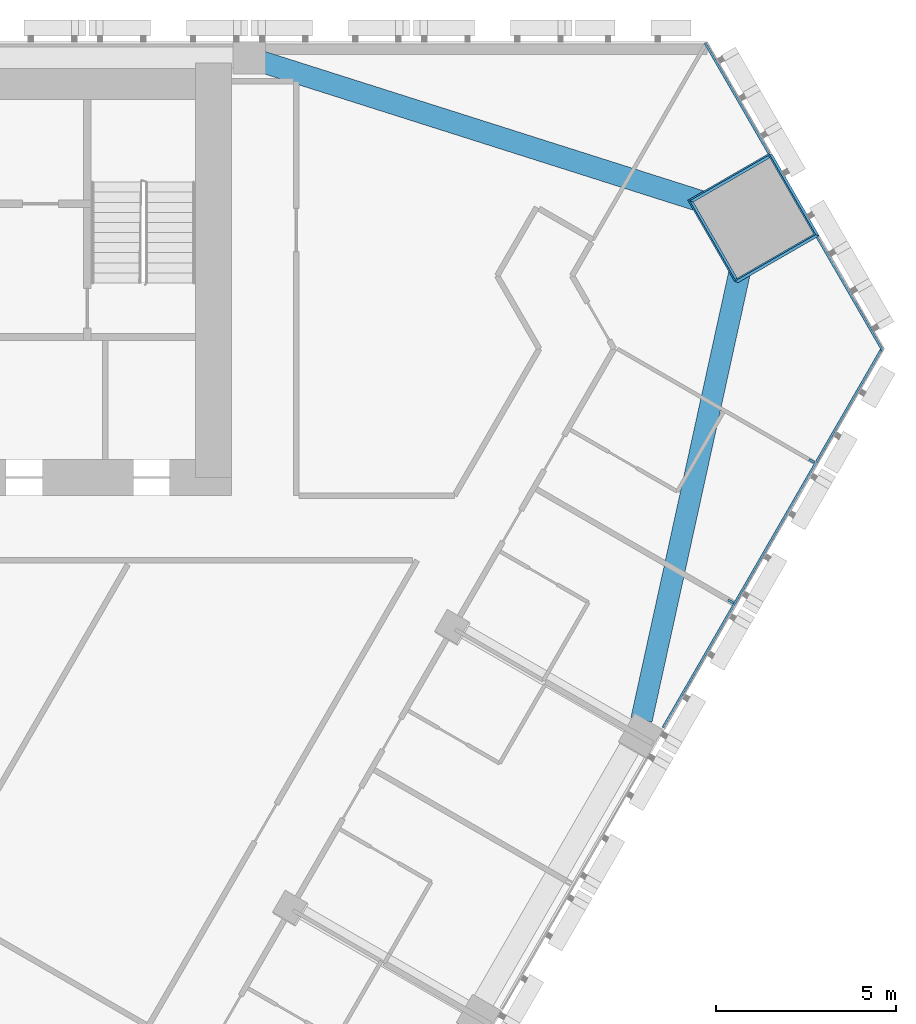
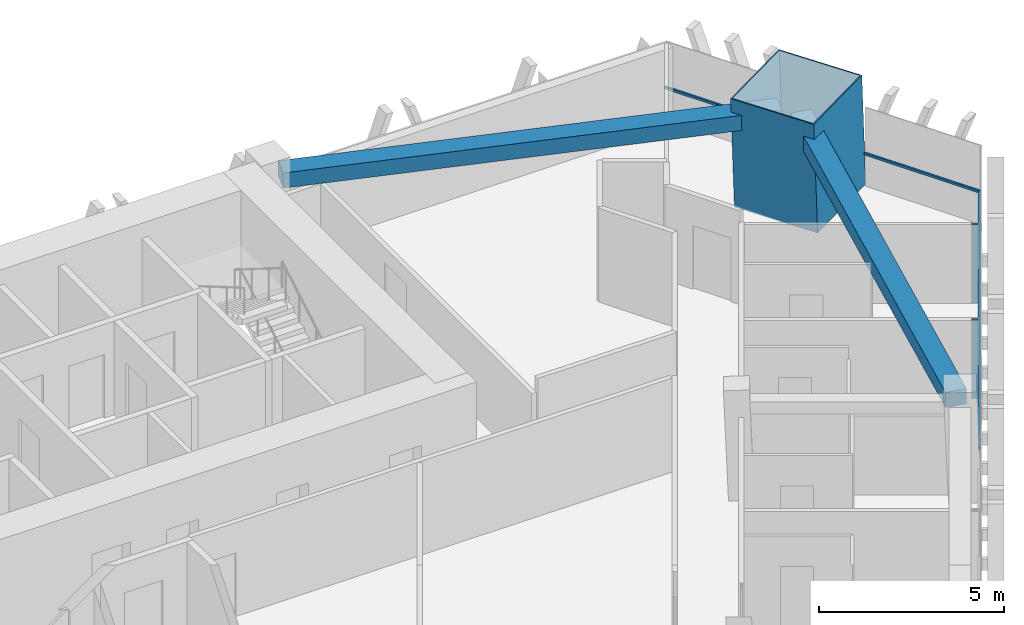
# One storey, part 8 of 18: 6 members, 2 beams, 2 elements without a shape of their own.
"""IFC4 building model written with IfcOpenShell, lengths in metres."""

from ifc_helpers import new_model, si_unit, direction, frame, origin, origin_2d, place, context, subcontext, project, spatial, rectangle, hollow_rectangle, extrude, material, layer, layer_set, material_profile, profile_set, type_object, element, aggregate, save


model = new_model("IFC4")

# Units and contexts
model_context = context("Model", 3, precision=1e-05, world=origin(), true_north=direction((0.0, 1.0)))
body_context = subcontext(model_context, "Body", "Model", "MODEL_VIEW")
ifc_project = project(units=[si_unit("LENGTHUNIT", "METRE"), si_unit("AREAUNIT", "SQUARE_METRE"), si_unit("VOLUMEUNIT", "CUBIC_METRE"), si_unit("PLANEANGLEUNIT", "RADIAN"), si_unit("MASSUNIT", "GRAM", prefix="KILO")], contexts=[model_context])

# Site, building, storey
site_placement = place(None, origin())
site = spatial("IfcSite", under=ifc_project, at=site_placement, CompositionType="ELEMENT")
building_placement = place(site_placement, origin())
building = spatial("IfcBuilding", under=site, at=building_placement, Name="Altiplano Prism Tower", CompositionType="ELEMENT")
storey_placement = place(building_placement, frame((0.0, 0.0, 34.199951171875)))
storey = spatial("IfcBuildingStorey", under=building, at=storey_placement, Name="L07", CompositionType="ELEMENT", Elevation=34.199951171875)

# Curtain wall, members
ifc_material_1 = material(Name="Aluminium and glass", Category="aluminium")
ifc_layer = layer(ifc_material_1, 0.280029296875)
ifc_layer_set = layer_set([ifc_layer], Name="Aluminium and glass")
curtain_wall_type = type_object("IfcCurtainWallType", Name="CW1 typical co-living unitised curtain wall", PredefinedType="NOTDEFINED", material=ifc_layer_set)
curtain_wall_1_placement = place(storey_placement, origin())
curtain_wall_1 = element("IfcCurtainWall", 1, at=curtain_wall_1_placement, inside=storey, type_object=curtain_wall_type, Name="CW1 curtain wall south-east face L07", PredefinedType="NOTDEFINED")
ifc_material_2 = material(Name="Aluminium", Category="aluminium")
ifc_material_profile_1 = material_profile(ifc_material_2, rectangle(XDim=0.179931640625, YDim=0.06494140625, at=origin_2d()), Name="CW1 mullion 65 x 180")
ifc_profile_set_1 = profile_set([ifc_material_profile_1], Name="Aluminium")
member_type_1 = type_object("IfcMemberType", Name="CW1 mullion 65 x 180", PredefinedType="MULLION", material=ifc_profile_set_1)
member_1_placement = place(storey_placement, frame((111.862060546875, 89.46044921875, 0.0), z_axis=(0.0, 0.0, 1.0), x_axis=(-0.866025410216, 0.49999998886, 0.0)))
member_1 = element("IfcMember", 2, at=member_1_placement, type_object=member_type_1, Name="CW1 mullion", PredefinedType="MULLION", context=body_context, shape_type="SweptSolid", body=[
    extrude(rectangle(XDim=0.179931640625, YDim=0.06494140625, at=origin_2d()), origin(), (0.0, 0.0, 1.0), 2.60009765625),
])
member_2_placement = place(storey_placement, frame((114.112060546875, 93.357666015625, 0.0), z_axis=(0.0, 0.0, 1.0), x_axis=(-0.866025410216, 0.49999998886, 0.0)))
member_2 = element("IfcMember", 3, at=member_2_placement, type_object=member_type_1, Name="CW1 mullion", PredefinedType="MULLION", context=body_context, shape_type="SweptSolid", body=[
    extrude(rectangle(XDim=0.179931640625, YDim=0.06494140625, at=origin_2d()), origin(), (0.0, 0.0, 1.0), 2.60009765625),
])
ifc_material_profile_2 = material_profile(ifc_material_2, rectangle(XDim=0.06005859375, YDim=0.080078125, at=origin_2d()), Name="CW1 transom 80 x 60")
ifc_profile_set_2 = profile_set([ifc_material_profile_2], Name="Aluminium")
member_type_2 = type_object("IfcMemberType", Name="CW1 transom 80 x 60", PredefinedType="USERDEFINED", material=ifc_profile_set_2)
member_3_placement = place(storey_placement, frame((109.980712890625, 85.9619140625, 1.10009765625), z_axis=(0.499987977232, 0.866032345022, 0.0), x_axis=(-0.866032345022, 0.499987977232, 0.0)))
member_3 = element("IfcMember", 4, at=member_3_placement, type_object=member_type_2, Name="CW1 transom", ObjectType="TRANSOM", PredefinedType="USERDEFINED", context=body_context, shape_type="SweptSolid", body=[
    extrude(rectangle(XDim=0.06005859375, YDim=0.080078125, at=origin_2d()), origin(), (0.0, 0.0, 1.0), 12.177490234375),
])
aggregate(curtain_wall_1, [member_1, member_2, member_3])

curtain_wall_2_placement = place(storey_placement, origin())
curtain_wall_2 = element("IfcCurtainWall", 5, at=curtain_wall_2_placement, inside=storey, type_object=curtain_wall_type, Name="CW1 curtain wall north-east chamfer L07", PredefinedType="NOTDEFINED")
member_4_placement = place(storey_placement, frame((116.0693359375, 96.43798828125, 1.10009765625), z_axis=(-0.499994660107, 0.866028486751, 0.0), x_axis=(-0.866028486751, -0.499994660107, 0.0)))
member_4 = element("IfcMember", 6, at=member_4_placement, type_object=member_type_2, Name="CW1 transom", ObjectType="TRANSOM", PredefinedType="USERDEFINED", context=body_context, shape_type="SweptSolid", body=[
    extrude(rectangle(XDim=0.06005859375, YDim=0.080078125, at=origin_2d()), origin(), (0.0, 0.0, 1.0), 3.623046875),
])
member_5_placement = place(storey_placement, frame((112.91796875, 101.896728515625, 1.10009765625), z_axis=(-0.49999285859, 0.86602952684, 0.0), x_axis=(-0.86602952684, -0.49999285859, 0.0)))
member_5 = element("IfcMember", 7, at=member_5_placement, type_object=member_type_2, Name="CW1 transom", ObjectType="TRANSOM", PredefinedType="USERDEFINED", context=body_context, shape_type="SweptSolid", body=[
    extrude(rectangle(XDim=0.06005859375, YDim=0.080078125, at=origin_2d()), origin(), (0.0, 0.0, 1.0), 3.54296875),
])
aggregate(curtain_wall_2, [member_4, member_5])

# Beams
ifc_material_3 = material(Name="Concrete C60/75", Category="concrete")
ifc_material_profile_3 = material_profile(ifc_material_3, rectangle(XDim=0.60009765625, YDim=0.5, at=origin_2d()), Name="Edge beam 600x500")
ifc_profile_set_3 = profile_set([ifc_material_profile_3], Name="Concrete C60/75")
beam_type = type_object("IfcBeamType", Name="Edge beam 600x500", PredefinedType="SPANDREL", material=ifc_profile_set_3)
for number, where, z_axis, x_axis, name in (
    (8, (109.38232421875, 86.176025390625, 2.85009765625), (0.214220328879, 0.976785365725, 0.0), (-0.976785365725, 0.214220328879, 0.0), "Edge beam P24-M2 L08"),
    (9, (112.01171875, 100.256103515625, 2.85009765625), (-0.953032634914, 0.30286762255, 0.0), (-0.30286762255, -0.953032634914, 0.0), "Edge beam M2-P01 L08"),
):
    element("IfcBeam", number, at=place(storey_placement, frame(where, z_axis=z_axis, x_axis=x_axis)), inside=storey, type_object=beam_type, Name=name, PredefinedType="SPANDREL", context=body_context, shape_type="SweptSolid", body=[
        extrude(rectangle(XDim=0.60009765625, YDim=0.5, at=origin_2d()), origin(), (0.0, 0.0, 1.0), 13.825439453125),
    ])

# Member
ifc_material_4 = material(Name="Steel S460", Category="steel")
ifc_material_profile_4 = material_profile(ifc_material_4, hollow_rectangle(XDim=2.60009765625, YDim=2.60009765625, WallThickness=0.0400390625, at=origin_2d()), Name="Mega column tube 2600")
ifc_profile_set_4 = profile_set([ifc_material_profile_4], Name="Steel S460")
member_type_3 = type_object("IfcMemberType", Name="Mega column tube 2600", PredefinedType="POST", material=ifc_profile_set_4)
member_6_placement = place(storey_placement, frame((112.542724609375, 100.08642578125, 0.0), z_axis=(-0.028401796786, 0.009286506348, 0.999553449666), x_axis=(0.498881273913, -0.866385327315, 0.02222474187)))
element("IfcMember", 10, at=member_6_placement, inside=storey, type_object=member_type_3, Name="Mega column tube M2 L07", PredefinedType="POST", context=body_context, shape_type="SweptSolid", body=[
    extrude(hollow_rectangle(XDim=2.60009765625, YDim=2.60009765625, WallThickness=0.0400390625, at=origin_2d()), origin(), (0.0, 0.0, 1.0), 3.601806640625),
])

save(model, "model.ifc")
